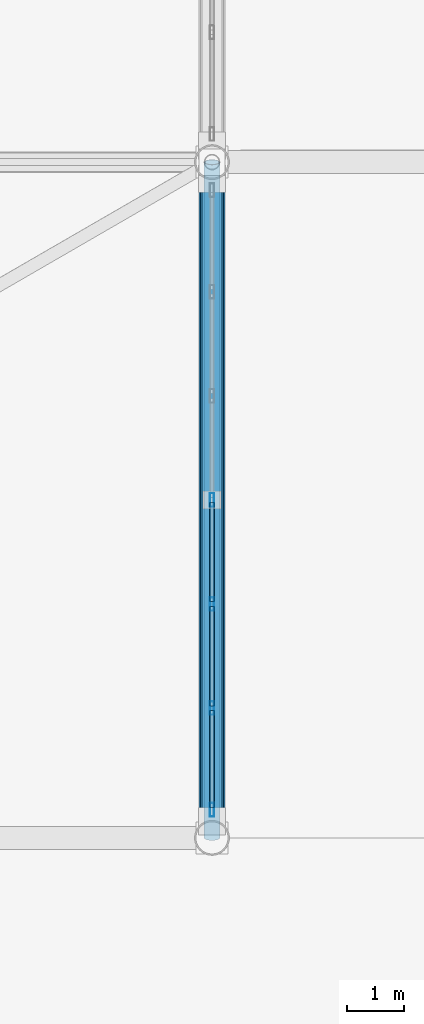
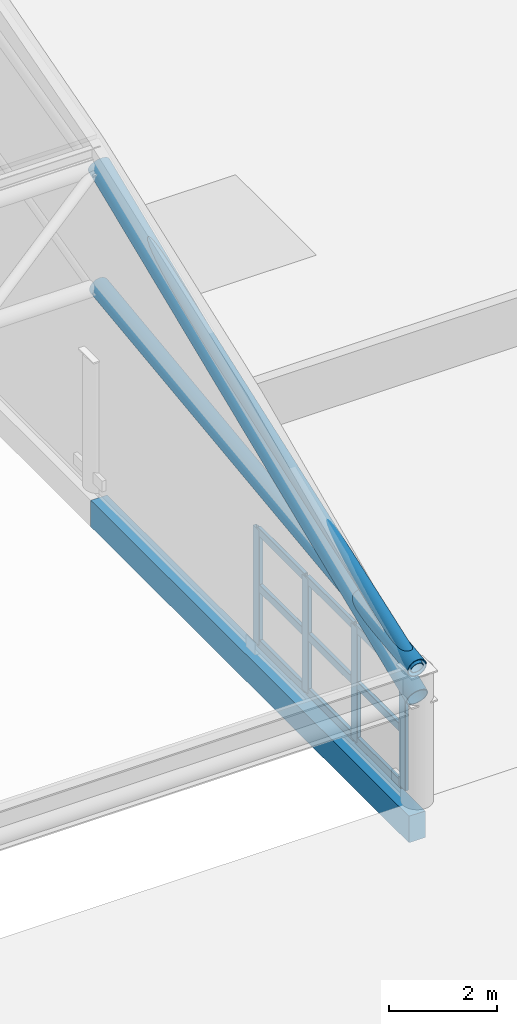
# One storey, part 46 of 135: 16 members, 1 beam, 1 element without a shape of its own.
"""IFC4 building model written with IfcOpenShell, lengths in metres."""

from ifc_helpers import new_model, si_unit, direction, frame, origin, origin_2d, place, context, subcontext, project, spatial, rectangle, hollow_rectangle, hollow_circle, extrude, material, material_profile, profile_set, type_object, element, aggregate, save


model = new_model("IFC4")

# Units and contexts
model_context = context("Model", 3, precision=1e-05, world=origin(), true_north=direction((0.0, 1.0)))
body_context = subcontext(model_context, "Body", "Model", "MODEL_VIEW")
ifc_project = project(units=[si_unit("LENGTHUNIT", "METRE"), si_unit("AREAUNIT", "SQUARE_METRE"), si_unit("VOLUMEUNIT", "CUBIC_METRE"), si_unit("PLANEANGLEUNIT", "RADIAN"), si_unit("MASSUNIT", "GRAM", prefix="KILO")], contexts=[model_context])

# Site, building, storey
site_placement = place(None, origin())
site = spatial("IfcSite", under=ifc_project, at=site_placement, CompositionType="ELEMENT")
building_placement = place(site_placement, origin())
building = spatial("IfcBuilding", under=site, at=building_placement, Name="Brelvane Convention Centre", CompositionType="ELEMENT")
storey_placement = place(building_placement, frame((0.0, 0.0, 15.0)))
storey = spatial("IfcBuildingStorey", under=building, at=storey_placement, Name="L03", CompositionType="ELEMENT", Elevation=15.0)

# Curtain wall, members
ifc_material_1 = material(Name="Anodised Aluminium Alloy 6063-T6", Category="aluminium")
curtain_wall_type = type_object("IfcCurtainWallType", Name="Curtain Wall CW-HULL-N", PredefinedType="USERDEFINED", material=ifc_material_1)
curtain_wall_placement = place(storey_placement, origin())
curtain_wall = element("IfcCurtainWall", 1, at=curtain_wall_placement, inside=storey, type_object=curtain_wall_type, Name="Curtain Wall CW-HULL-N L03-EXH-E-CLER-1", ObjectType="UNITISED", PredefinedType="USERDEFINED")
ifc_material_2 = material(Name="Anodised Aluminium Alloy 6063-T6", Category="aluminium")
ifc_material_profile_1 = material_profile(ifc_material_2, hollow_rectangle(XDim=0.080078125, YDim=0.239990234375, WallThickness=0.006103515625, InnerFilletRadius=0.006103515625, OuterFilletRadius=0.011962890625, at=origin_2d()), Name="ALU-M 240x80x6.0")
ifc_profile_set_1 = profile_set([ifc_material_profile_1], Name="Anodised Aluminium Alloy 6063-T6")
member_type_1 = type_object("IfcMemberType", Name="Curtain Mullion CW-M1", PredefinedType="MULLION", material=ifc_profile_set_1)
member_1_placement = place(storey_placement, frame((142.800048828125, 29.2900390625, 0.0), z_axis=(0.0, 0.0, 1.0), x_axis=(-1.0, 0.0, 0.0)))
member_1 = element("IfcMember", 2, at=member_1_placement, type_object=member_type_1, Name="CW-HULL-N mullion 1", PredefinedType="MULLION", context=body_context, shape_type="SweptSolid", body=[
    extrude(hollow_rectangle(XDim=0.080078125, YDim=0.239990234375, WallThickness=0.006103515625, InnerFilletRadius=0.006103515625, OuterFilletRadius=0.011962890625, at=origin_2d()), origin(), (0.0, 0.0, 1.0), 2.60009765625),
])
member_2_placement = place(storey_placement, frame((142.800048828125, 31.066650390625, 0.0), z_axis=(0.0, 0.0, 1.0), x_axis=(-1.0, 0.0, 0.0)))
member_2 = element("IfcMember", 3, at=member_2_placement, type_object=member_type_1, Name="CW-HULL-N mullion 2", PredefinedType="MULLION", context=body_context, shape_type="SweptSolid", body=[
    extrude(hollow_rectangle(XDim=0.080078125, YDim=0.239990234375, WallThickness=0.006103515625, InnerFilletRadius=0.006103515625, OuterFilletRadius=0.011962890625, at=origin_2d()), origin(), (0.0, 0.0, 1.0), 2.60009765625),
])
member_3_placement = place(storey_placement, frame((142.800048828125, 32.88330078125, 0.0), z_axis=(0.0, 0.0, 1.0), x_axis=(-1.0, 0.0, 0.0)))
member_3 = element("IfcMember", 4, at=member_3_placement, type_object=member_type_1, Name="CW-HULL-N mullion 3", PredefinedType="MULLION", context=body_context, shape_type="SweptSolid", body=[
    extrude(hollow_rectangle(XDim=0.080078125, YDim=0.239990234375, WallThickness=0.006103515625, InnerFilletRadius=0.006103515625, OuterFilletRadius=0.011962890625, at=origin_2d()), origin(), (0.0, 0.0, 1.0), 2.60009765625),
])
member_4_placement = place(storey_placement, frame((142.800048828125, 34.699951171875, 0.0), z_axis=(0.0, 0.0, 1.0), x_axis=(-1.0, 0.0, 0.0)))
member_4 = element("IfcMember", 5, at=member_4_placement, type_object=member_type_1, Name="CW-HULL-N mullion 4", PredefinedType="MULLION", context=body_context, shape_type="SweptSolid", body=[
    extrude(hollow_rectangle(XDim=0.080078125, YDim=0.239990234375, WallThickness=0.006103515625, InnerFilletRadius=0.006103515625, OuterFilletRadius=0.011962890625, at=origin_2d()), origin(), (0.0, 0.0, 1.0), 2.60009765625),
])
ifc_material_3 = material(Name="Anodised Aluminium Alloy 6063-T6", Category="aluminium")
ifc_material_profile_2 = material_profile(ifc_material_3, hollow_rectangle(XDim=0.080078125, YDim=0.179931640625, WallThickness=0.0048828125, InnerFilletRadius=0.0048828125, OuterFilletRadius=0.010009765625, at=origin_2d()), Name="ALU-T 180x80x5.0")
ifc_profile_set_2 = profile_set([ifc_material_profile_2], Name="Anodised Aluminium Alloy 6063-T6")
member_type_2 = type_object("IfcMemberType", Name="Curtain Transom CW-T1", PredefinedType="USERDEFINED", material=ifc_profile_set_2)
member_5_placement = place(storey_placement, frame((142.800048828125, 29.330078125, 0.0400390625), z_axis=(0.0, 1.0, 0.0), x_axis=(-1.0, 0.0, 0.0)))
member_5 = element("IfcMember", 6, at=member_5_placement, type_object=member_type_2, Name="CW-HULL-N transom 1.1", ObjectType="TRANSOM", PredefinedType="USERDEFINED", context=body_context, shape_type="SweptSolid", body=[
    extrude(hollow_rectangle(XDim=0.080078125, YDim=0.179931640625, WallThickness=0.0048828125, InnerFilletRadius=0.0048828125, OuterFilletRadius=0.010009765625, at=origin_2d()), origin(), (0.0, 0.0, 1.0), 1.696533203125),
])
member_6_placement = place(storey_placement, frame((142.800048828125, 29.330078125, 1.300048828125), z_axis=(0.0, 1.0, 0.0), x_axis=(-1.0, 0.0, 0.0)))
member_6 = element("IfcMember", 7, at=member_6_placement, type_object=member_type_2, Name="CW-HULL-N transom 1.2", ObjectType="TRANSOM", PredefinedType="USERDEFINED", context=body_context, shape_type="SweptSolid", body=[
    extrude(hollow_rectangle(XDim=0.080078125, YDim=0.179931640625, WallThickness=0.0048828125, InnerFilletRadius=0.0048828125, OuterFilletRadius=0.010009765625, at=origin_2d()), origin(), (0.0, 0.0, 1.0), 1.696533203125),
])
member_7_placement = place(storey_placement, frame((142.800048828125, 29.330078125, 2.56005859375), z_axis=(0.0, 1.0, 0.0), x_axis=(-1.0, 0.0, 0.0)))
member_7 = element("IfcMember", 8, at=member_7_placement, type_object=member_type_2, Name="CW-HULL-N transom 1.3", ObjectType="TRANSOM", PredefinedType="USERDEFINED", context=body_context, shape_type="SweptSolid", body=[
    extrude(hollow_rectangle(XDim=0.080078125, YDim=0.179931640625, WallThickness=0.0048828125, InnerFilletRadius=0.0048828125, OuterFilletRadius=0.010009765625, at=origin_2d()), origin(), (0.0, 0.0, 1.0), 1.696533203125),
])
member_8_placement = place(storey_placement, frame((142.800048828125, 31.106689453125, 0.0400390625), z_axis=(0.0, 1.0, 0.0), x_axis=(-1.0, 0.0, 0.0)))
member_8 = element("IfcMember", 9, at=member_8_placement, type_object=member_type_2, Name="CW-HULL-N transom 2.1", ObjectType="TRANSOM", PredefinedType="USERDEFINED", context=body_context, shape_type="SweptSolid", body=[
    extrude(hollow_rectangle(XDim=0.080078125, YDim=0.179931640625, WallThickness=0.0048828125, InnerFilletRadius=0.0048828125, OuterFilletRadius=0.010009765625, at=origin_2d()), origin(), (0.0, 0.0, 1.0), 1.736572265625),
])
member_9_placement = place(storey_placement, frame((142.800048828125, 31.106689453125, 1.300048828125), z_axis=(0.0, 1.0, 0.0), x_axis=(-1.0, 0.0, 0.0)))
member_9 = element("IfcMember", 10, at=member_9_placement, type_object=member_type_2, Name="CW-HULL-N transom 2.2", ObjectType="TRANSOM", PredefinedType="USERDEFINED", context=body_context, shape_type="SweptSolid", body=[
    extrude(hollow_rectangle(XDim=0.080078125, YDim=0.179931640625, WallThickness=0.0048828125, InnerFilletRadius=0.0048828125, OuterFilletRadius=0.010009765625, at=origin_2d()), origin(), (0.0, 0.0, 1.0), 1.736572265625),
])
member_10_placement = place(storey_placement, frame((142.800048828125, 31.106689453125, 2.56005859375), z_axis=(0.0, 1.0, 0.0), x_axis=(-1.0, 0.0, 0.0)))
member_10 = element("IfcMember", 11, at=member_10_placement, type_object=member_type_2, Name="CW-HULL-N transom 2.3", ObjectType="TRANSOM", PredefinedType="USERDEFINED", context=body_context, shape_type="SweptSolid", body=[
    extrude(hollow_rectangle(XDim=0.080078125, YDim=0.179931640625, WallThickness=0.0048828125, InnerFilletRadius=0.0048828125, OuterFilletRadius=0.010009765625, at=origin_2d()), origin(), (0.0, 0.0, 1.0), 1.736572265625),
])
member_11_placement = place(storey_placement, frame((142.800048828125, 32.92333984375, 0.0400390625), z_axis=(0.0, 1.0, 0.0), x_axis=(-1.0, 0.0, 0.0)))
member_11 = element("IfcMember", 12, at=member_11_placement, type_object=member_type_2, Name="CW-HULL-N transom 3.1", ObjectType="TRANSOM", PredefinedType="USERDEFINED", context=body_context, shape_type="SweptSolid", body=[
    extrude(hollow_rectangle(XDim=0.080078125, YDim=0.179931640625, WallThickness=0.0048828125, InnerFilletRadius=0.0048828125, OuterFilletRadius=0.010009765625, at=origin_2d()), origin(), (0.0, 0.0, 1.0), 1.736572265625),
])
member_12_placement = place(storey_placement, frame((142.800048828125, 32.92333984375, 1.300048828125), z_axis=(0.0, 1.0, 0.0), x_axis=(-1.0, 0.0, 0.0)))
member_12 = element("IfcMember", 13, at=member_12_placement, type_object=member_type_2, Name="CW-HULL-N transom 3.2", ObjectType="TRANSOM", PredefinedType="USERDEFINED", context=body_context, shape_type="SweptSolid", body=[
    extrude(hollow_rectangle(XDim=0.080078125, YDim=0.179931640625, WallThickness=0.0048828125, InnerFilletRadius=0.0048828125, OuterFilletRadius=0.010009765625, at=origin_2d()), origin(), (0.0, 0.0, 1.0), 1.736572265625),
])
member_13_placement = place(storey_placement, frame((142.800048828125, 32.92333984375, 2.56005859375), z_axis=(0.0, 1.0, 0.0), x_axis=(-1.0, 0.0, 0.0)))
member_13 = element("IfcMember", 14, at=member_13_placement, type_object=member_type_2, Name="CW-HULL-N transom 3.3", ObjectType="TRANSOM", PredefinedType="USERDEFINED", context=body_context, shape_type="SweptSolid", body=[
    extrude(hollow_rectangle(XDim=0.080078125, YDim=0.179931640625, WallThickness=0.0048828125, InnerFilletRadius=0.0048828125, OuterFilletRadius=0.010009765625, at=origin_2d()), origin(), (0.0, 0.0, 1.0), 1.736572265625),
])
aggregate(curtain_wall, [member_1, member_2, member_3, member_4, member_5, member_6, member_7, member_8, member_9, member_10, member_11, member_12, member_13])

# Beam
ifc_material_4 = material(Name="Concrete M40", Category="concrete")
ifc_material_profile_3 = material_profile(ifc_material_4, rectangle(XDim=0.35009765625, YDim=0.60009765625, at=origin_2d()), Name="RC 350x600")
ifc_profile_set_3 = profile_set([ifc_material_profile_3], Name="Concrete M40")
beam_type = type_object("IfcBeamType", Name="RC Spandrel SP-RC2 (RC 350x600)", PredefinedType="SPANDREL", material=ifc_profile_set_3)
beam_placement = place(storey_placement, frame((142.800048828125, 28.800048828125, -0.60009765625), z_axis=(0.0, 1.0, 0.0), x_axis=(-1.0, 0.0, 0.0)))
element("IfcBeam", 15, at=beam_placement, inside=storey, type_object=beam_type, Name="L03 Girder 15/D-E", PredefinedType="SPANDREL", context=body_context, shape_type="SweptSolid", body=[
    extrude(rectangle(XDim=0.35009765625, YDim=0.60009765625, at=origin_2d()), origin(), (0.0, 0.0, 1.0), 11.800048828125),
])

# Members
ifc_material_5 = material(Name="Steel E350 (350 MPa)", Category="steel")
ifc_material_profile_4 = material_profile(ifc_material_5, hollow_circle(Radius=0.136474609375, WallThickness=0.012451171875, at=origin_2d()), Name="CHS 273.0x12.5")
ifc_profile_set_4 = profile_set([ifc_material_profile_4], Name="Steel E350 (350 MPa)")
member_type_3 = type_object("IfcMemberType", Name="Steel Brace SF-DG1 (CHS 273.0x12.5)", PredefinedType="BRACE", material=ifc_profile_set_4)
member_14_placement = place(storey_placement, frame((142.800048828125, 28.800048828125, 3.0), z_axis=(0.0, 0.941369868841, 0.337376303314), x_axis=(-1.0, 0.0, 0.0)))
element("IfcMember", 16, at=member_14_placement, inside=storey, type_object=member_type_3, Name="SF_EXH Space-Frame Web Diagonal D8.1", PredefinedType="BRACE", context=body_context, shape_type="SweptSolid", body=[
    extrude(hollow_circle(Radius=0.136474609375, WallThickness=0.012451171875, at=origin_2d()), origin(), (0.0, 0.0, 1.0), 12.534912109375),
])
ifc_material_6 = material(Name="Steel E450 (450 MPa)", Category="steel")
ifc_material_profile_5 = material_profile(ifc_material_6, hollow_circle(Radius=0.203125, WallThickness=0.01611328125, at=origin_2d()), Name="CHS 406.4x16.0")
ifc_profile_set_5 = profile_set([ifc_material_profile_5], Name="Steel E450 (450 MPa)")
member_type_4 = type_object("IfcMemberType", Name="Steel Chord SF-BC1 (CHS 406.4x16.0)", PredefinedType="CHORD", material=ifc_profile_set_5)
member_15_placement = place(storey_placement, frame((142.800048828125, 28.800048828125, 3.0), z_axis=(0.0, 0.992132246813, 0.125194268374), x_axis=(-1.0, 0.0, 0.0)))
element("IfcMember", 17, at=member_15_placement, inside=storey, type_object=member_type_4, Name="SF_EXH Space-Frame Bottom Chord B8.1", PredefinedType="CHORD", context=body_context, shape_type="SweptSolid", body=[
    extrude(hollow_circle(Radius=0.203125, WallThickness=0.01611328125, at=origin_2d()), origin(), (0.0, 0.0, 1.0), 11.8935546875),
])
ifc_material_7 = material(Name="Steel E450 (450 MPa)", Category="steel")
ifc_material_profile_6 = material_profile(ifc_material_7, hollow_circle(Radius=0.228515625, WallThickness=0.02001953125, at=origin_2d()), Name="CHS 457.0x20.0")
ifc_profile_set_6 = profile_set([ifc_material_profile_6], Name="Steel E450 (450 MPa)")
member_type_5 = type_object("IfcMemberType", Name="Steel Chord SF-TC1 (CHS 457.0x20.0)", PredefinedType="CHORD", material=ifc_profile_set_6)
member_16_placement = place(storey_placement, frame((142.800048828125, 28.800048828125, 2.340087890625), z_axis=(0.0, 0.923846983903, 0.382762002207), x_axis=(-1.0, 0.0, 0.0)))
element("IfcMember", 18, at=member_16_placement, inside=storey, type_object=member_type_5, Name="SF_EXH Space-Frame Top Chord T8.1", PredefinedType="CHORD", context=body_context, shape_type="SweptSolid", body=[
    extrude(hollow_circle(Radius=0.228515625, WallThickness=0.02001953125, at=origin_2d()), origin(), (0.0, 0.0, 1.0), 12.772705078125),
])

save(model, "model.ifc")
